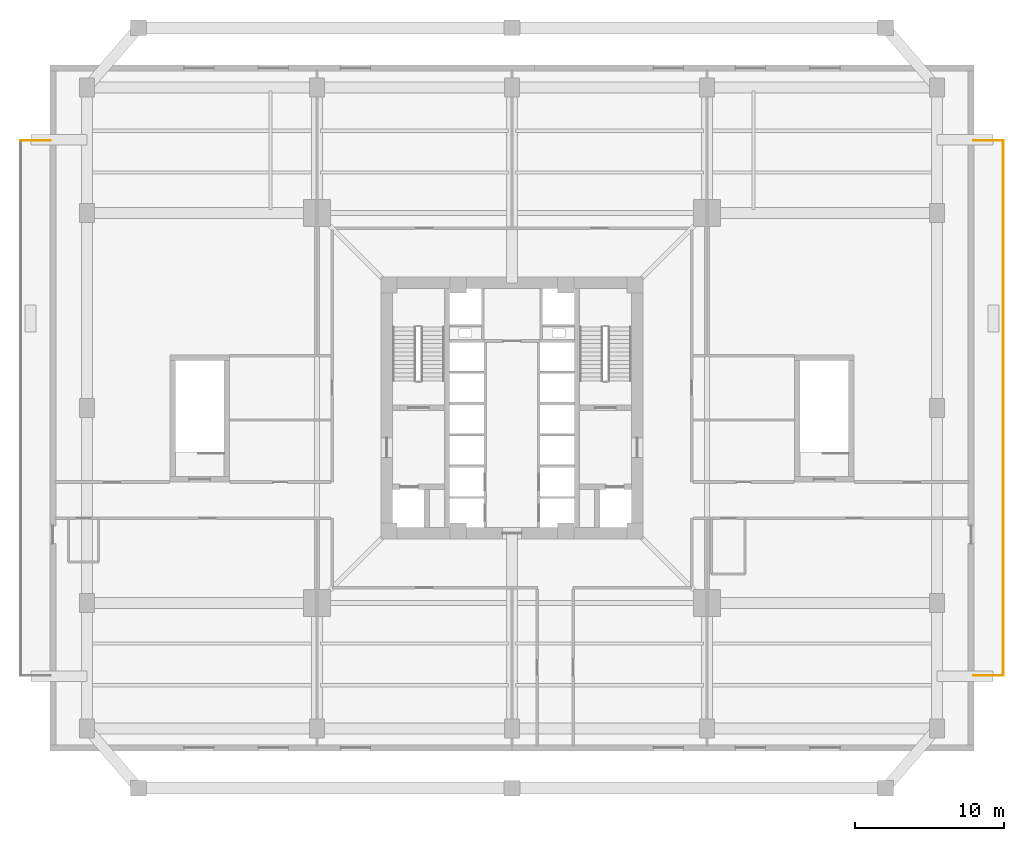
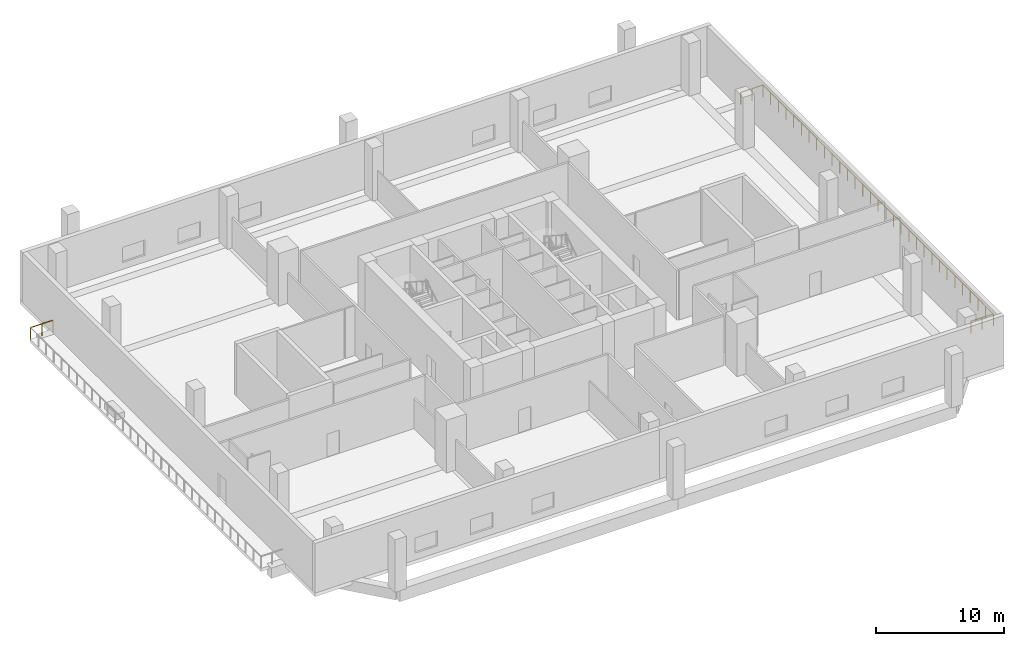
# One storey, part 8 of 8: 4 railings.
"""IFC4 building model written with IfcOpenShell, lengths in metres."""

from ifc_helpers import new_model, si_unit, direction, frame, origin, origin_2d, place, context, subcontext, project, spatial, circle, extrude, source, transform, mapped, material, type_object, element, save


model = new_model("IFC4")

# Units and contexts
model_context = context("Model", 3, precision=1e-05, world=origin(), true_north=direction((0.0, 1.0)))
body_context = subcontext(model_context, "Body", "Model", "MODEL_VIEW")
ifc_project = project(units=[si_unit("LENGTHUNIT", "METRE"), si_unit("AREAUNIT", "SQUARE_METRE"), si_unit("VOLUMEUNIT", "CUBIC_METRE"), si_unit("PLANEANGLEUNIT", "RADIAN"), si_unit("MASSUNIT", "GRAM", prefix="KILO"), si_unit("THERMODYNAMICTEMPERATUREUNIT", "KELVIN")], contexts=[model_context])

# Site, building, storey
site_placement = place(None, origin())
site = spatial("IfcSite", under=ifc_project, at=site_placement, CompositionType="ELEMENT")
building_placement = place(site_placement, origin())
building = spatial("IfcBuilding", under=site, at=building_placement, Name="Kosmvard Interchange Tower", CompositionType="ELEMENT")
storey_placement = place(building_placement, frame((0.0, 0.0, 21.0)))
storey = spatial("IfcBuildingStorey", under=building, at=storey_placement, Name="L04", CompositionType="ELEMENT", Elevation=21.0)

# Railings
ifc_material = material(Name="Steel S355", Category="steel")
railing_type = type_object("IfcRailingType", Name="Observation & Balcony Glass-Infill Balustrade 1150", PredefinedType="BALUSTRADE", material=ifc_material)
shared_shape_1 = source(origin(), body_context, "Body", "SweptSolid", [
    extrude(circle(Radius=0.02392578125, at=origin_2d()), frame((0.0, 0.0, 1.1259765625), z_axis=(-1.0, 0.0, 0.0), x_axis=(0.0, -1.0, 0.0)), (0.0, 0.0, 1.0), 2.0),
    extrude(circle(Radius=0.02099609375, at=origin_2d()), origin(), (0.0, 0.0, 1.0), 1.101806640625),
    extrude(circle(Radius=0.02099609375, at=origin_2d()), frame((-1.0, 0.0, 0.0)), (0.0, 0.0, 1.0), 1.101806640625),
    extrude(circle(Radius=0.02099609375, at=origin_2d()), frame((-2.0, 0.0, 0.0)), (0.0, 0.0, 1.0), 1.101806640625),
])
railing_1_placement = place(storey_placement, frame((32.949951171875, 17.949951171875, 0.0)))
element("IfcRailing", 1, at=railing_1_placement, inside=storey, type_object=railing_type, Name="L04 Outdoor Terrace Guard TER-L04-E-C", PredefinedType="BALUSTRADE", context=body_context, shape_type="MappedRepresentation", body=[
    mapped(shared_shape_1, transform((0.0, 0.0, 0.0), scale=1.0)),
])
shared_shape_2 = source(origin(), body_context, "Body", "SweptSolid", [
    extrude(circle(Radius=0.02392578125, at=origin_2d()), frame((0.0, 0.0, 1.1259765625), z_axis=(0.0, 1.0, 0.0), x_axis=(-1.0, 0.0, 0.0)), (0.0, 0.0, 1.0), 35.89990234375),
    extrude(circle(Radius=0.02099609375, at=origin_2d()), origin(), (0.0, 0.0, 1.0), 1.101806640625),
    extrude(circle(Radius=0.02099609375, at=origin_2d()), frame((0.0, 1.19677734375, 0.0)), (0.0, 0.0, 1.0), 1.101806640625),
    extrude(circle(Radius=0.02099609375, at=origin_2d()), frame((0.0, 2.393310546875, 0.0)), (0.0, 0.0, 1.0), 1.101806640625),
    extrude(circle(Radius=0.02099609375, at=origin_2d()), frame((0.0, 3.590087890625, 0.0)), (0.0, 0.0, 1.0), 1.101806640625),
    extrude(circle(Radius=0.02099609375, at=origin_2d()), frame((0.0, 4.78662109375, 0.0)), (0.0, 0.0, 1.0), 1.101806640625),
    extrude(circle(Radius=0.02099609375, at=origin_2d()), frame((0.0, 5.9833984375, 0.0)), (0.0, 0.0, 1.0), 1.101806640625),
    extrude(circle(Radius=0.02099609375, at=origin_2d()), frame((0.0, 7.179931640625, 0.0)), (0.0, 0.0, 1.0), 1.101806640625),
    extrude(circle(Radius=0.02099609375, at=origin_2d()), frame((0.0, 8.376708984375, 0.0)), (0.0, 0.0, 1.0), 1.101806640625),
    extrude(circle(Radius=0.02099609375, at=origin_2d()), frame((0.0, 9.5732421875, 0.0)), (0.0, 0.0, 1.0), 1.101806640625),
    extrude(circle(Radius=0.02099609375, at=origin_2d()), frame((0.0, 10.77001953125, 0.0)), (0.0, 0.0, 1.0), 1.101806640625),
    extrude(circle(Radius=0.02099609375, at=origin_2d()), frame((0.0, 11.966552734375, 0.0)), (0.0, 0.0, 1.0), 1.101806640625),
    extrude(circle(Radius=0.02099609375, at=origin_2d()), frame((0.0, 13.163330078125, 0.0)), (0.0, 0.0, 1.0), 1.101806640625),
    extrude(circle(Radius=0.02099609375, at=origin_2d()), frame((0.0, 14.35986328125, 0.0)), (0.0, 0.0, 1.0), 1.101806640625),
    extrude(circle(Radius=0.02099609375, at=origin_2d()), frame((0.0, 15.556640625, 0.0)), (0.0, 0.0, 1.0), 1.101806640625),
    extrude(circle(Radius=0.02099609375, at=origin_2d()), frame((0.0, 16.753173828125, 0.0)), (0.0, 0.0, 1.0), 1.101806640625),
    extrude(circle(Radius=0.02099609375, at=origin_2d()), frame((0.0, 17.949951171875, 0.0)), (0.0, 0.0, 1.0), 1.101806640625),
    extrude(circle(Radius=0.02099609375, at=origin_2d()), frame((0.0, 19.146728515625, 0.0)), (0.0, 0.0, 1.0), 1.101806640625),
    extrude(circle(Radius=0.02099609375, at=origin_2d()), frame((0.0, 20.34326171875, 0.0)), (0.0, 0.0, 1.0), 1.101806640625),
    extrude(circle(Radius=0.02099609375, at=origin_2d()), frame((0.0, 21.5400390625, 0.0)), (0.0, 0.0, 1.0), 1.101806640625),
    extrude(circle(Radius=0.02099609375, at=origin_2d()), frame((0.0, 22.736572265625, 0.0)), (0.0, 0.0, 1.0), 1.101806640625),
    extrude(circle(Radius=0.02099609375, at=origin_2d()), frame((0.0, 23.933349609375, 0.0)), (0.0, 0.0, 1.0), 1.101806640625),
    extrude(circle(Radius=0.02099609375, at=origin_2d()), frame((0.0, 25.1298828125, 0.0)), (0.0, 0.0, 1.0), 1.101806640625),
    extrude(circle(Radius=0.02099609375, at=origin_2d()), frame((0.0, 26.32666015625, 0.0)), (0.0, 0.0, 1.0), 1.101806640625),
    extrude(circle(Radius=0.02099609375, at=origin_2d()), frame((0.0, 27.523193359375, 0.0)), (0.0, 0.0, 1.0), 1.101806640625),
    extrude(circle(Radius=0.02099609375, at=origin_2d()), frame((0.0, 28.719970703125, 0.0)), (0.0, 0.0, 1.0), 1.101806640625),
    extrude(circle(Radius=0.02099609375, at=origin_2d()), frame((0.0, 29.91650390625, 0.0)), (0.0, 0.0, 1.0), 1.101806640625),
    extrude(circle(Radius=0.02099609375, at=origin_2d()), frame((0.0, 31.11328125, 0.0)), (0.0, 0.0, 1.0), 1.101806640625),
    extrude(circle(Radius=0.02099609375, at=origin_2d()), frame((0.0, 32.309814453125, 0.0)), (0.0, 0.0, 1.0), 1.101806640625),
    extrude(circle(Radius=0.02099609375, at=origin_2d()), frame((0.0, 33.506591796875, 0.0)), (0.0, 0.0, 1.0), 1.101806640625),
    extrude(circle(Radius=0.02099609375, at=origin_2d()), frame((0.0, 34.703125, 0.0)), (0.0, 0.0, 1.0), 1.101806640625),
    extrude(circle(Radius=0.02099609375, at=origin_2d()), frame((0.0, 35.89990234375, 0.0)), (0.0, 0.0, 1.0), 1.101806640625),
])
railing_2_placement = place(storey_placement, frame((32.949951171875, -17.949951171875, 0.0)))
element("IfcRailing", 2, at=railing_2_placement, inside=storey, type_object=railing_type, Name="L04 Outdoor Terrace Guard TER-L04-E-B", PredefinedType="BALUSTRADE", context=body_context, shape_type="MappedRepresentation", body=[
    mapped(shared_shape_2, transform((0.0, 0.0, 0.0), scale=1.0)),
])
shared_shape_3 = source(origin(), body_context, "Body", "SweptSolid", [
    extrude(circle(Radius=0.02392578125, at=origin_2d()), frame((0.0, 0.0, 1.1259765625), z_axis=(1.0, 0.0, 0.0), x_axis=(0.0, 1.0, 0.0)), (0.0, 0.0, 1.0), 2.0),
    extrude(circle(Radius=0.02099609375, at=origin_2d()), origin(), (0.0, 0.0, 1.0), 1.101806640625),
    extrude(circle(Radius=0.02099609375, at=origin_2d()), frame((1.0, 0.0, 0.0)), (0.0, 0.0, 1.0), 1.101806640625),
    extrude(circle(Radius=0.02099609375, at=origin_2d()), frame((2.0, 0.0, 0.0)), (0.0, 0.0, 1.0), 1.101806640625),
])
for number, where, name in (
    (3, (-32.949951171875, 17.949951171875, 0.0), "L04 Outdoor Terrace Guard TER-L04-W-C"),
    (4, (30.949951171875, -17.949951171875, 0.0), "L04 Outdoor Terrace Guard TER-L04-E-A"),
):
    element("IfcRailing", number, at=place(storey_placement, frame(where)), inside=storey, type_object=railing_type, Name=name, PredefinedType="BALUSTRADE", context=body_context, shape_type="MappedRepresentation", body=[
        mapped(shared_shape_3, transform((0.0, 0.0, 0.0), scale=1.0)),
    ])

save(model, "model.ifc")
